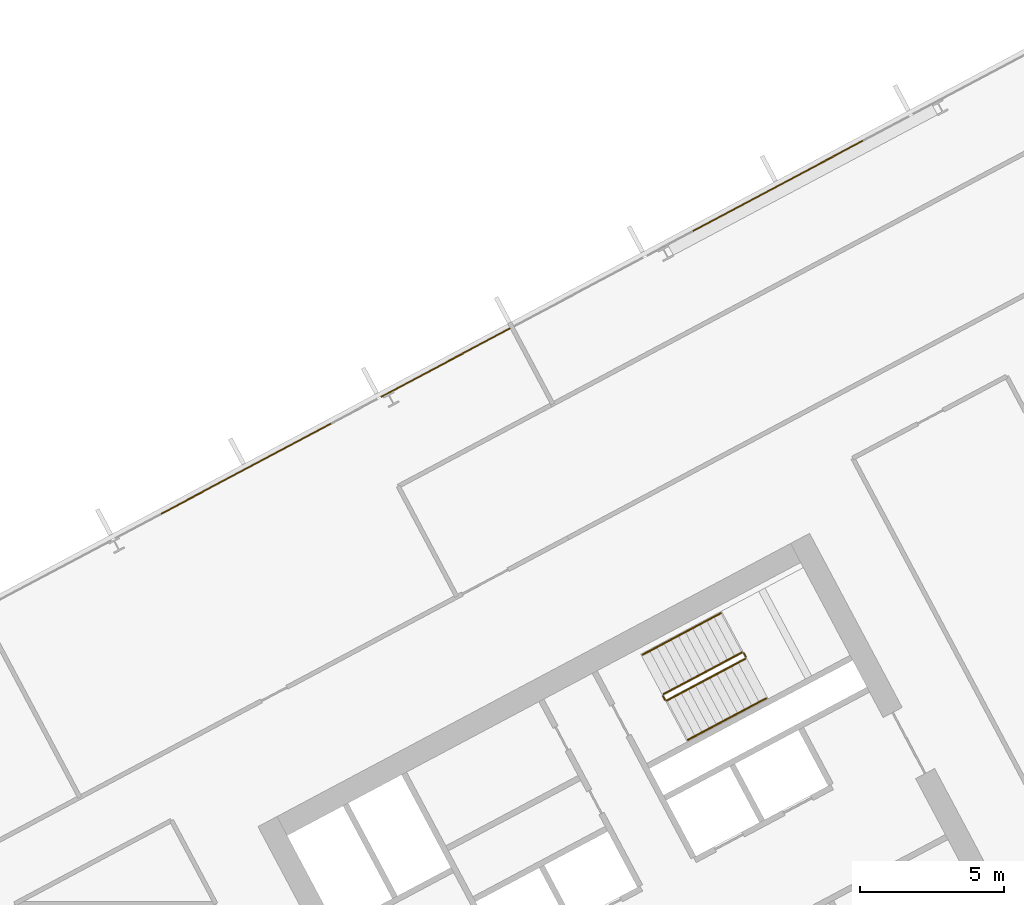
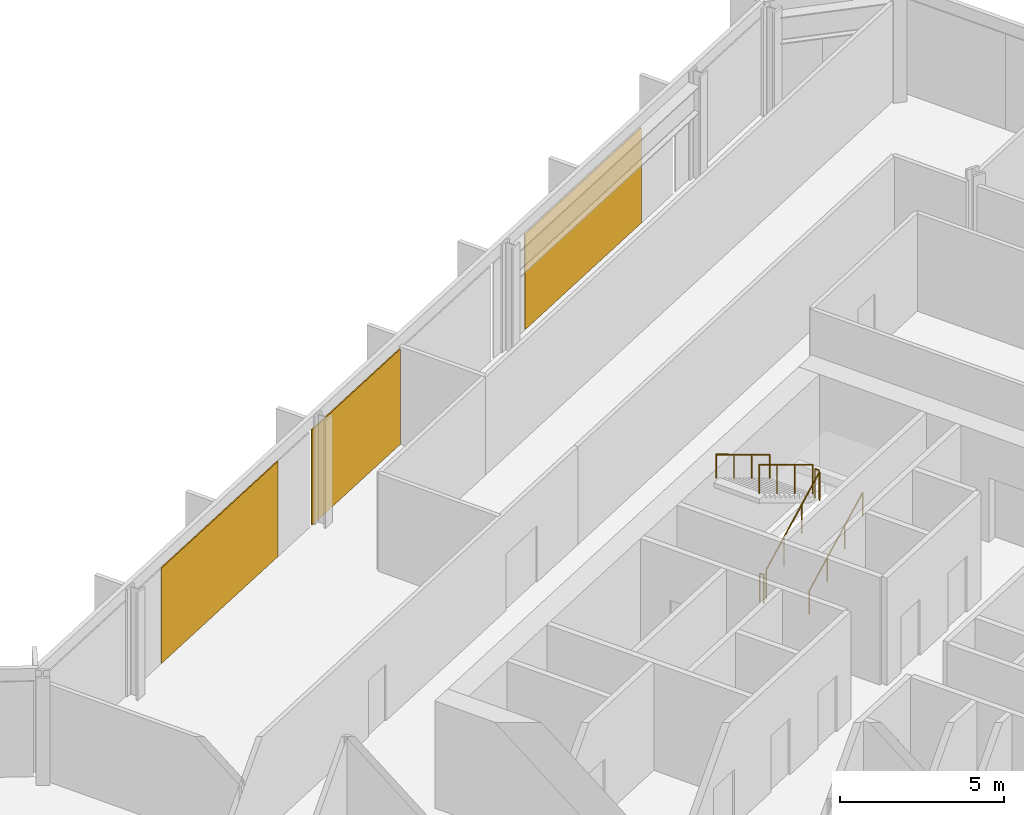
# One storey, part 27 of 28: 6 railings, 3 coverings, 1 element without a shape of its own.
"""IFC4 building model written with IfcOpenShell, lengths in metres."""

from ifc_helpers import new_model, si_unit, direction, frame, origin, origin_2d, place, context, subcontext, project, spatial, polyline, rectangle, outline, extrude, material, layer, layer_set, type_object, element, aggregate, save


model = new_model("IFC4")

# Units and contexts
model_context = context("Model", 3, precision=1e-05, world=origin(), true_north=direction((0.0, 1.0)))
body_context = subcontext(model_context, "Body", "Model", "MODEL_VIEW")
ifc_project = project(units=[si_unit("LENGTHUNIT", "METRE"), si_unit("AREAUNIT", "SQUARE_METRE"), si_unit("VOLUMEUNIT", "CUBIC_METRE"), si_unit("PLANEANGLEUNIT", "RADIAN"), si_unit("MASSUNIT", "GRAM", prefix="KILO")], contexts=[model_context])

# Site, building, storey
site_placement = place(None, origin())
site = spatial("IfcSite", under=ifc_project, at=site_placement, CompositionType="ELEMENT")
building_placement = place(site_placement, origin())
building = spatial("IfcBuilding", under=site, at=building_placement, Name="Cormorant Relay Tower", CompositionType="ELEMENT")
storey_placement = place(building_placement, frame((0.0, 0.0, 142.199951171875)))
storey = spatial("IfcBuildingStorey", under=building, at=storey_placement, Name="L29", CompositionType="ELEMENT", Elevation=142.199951171875)

# Curtain wall, coverings
ifc_material_1 = material(Name="Aluminium 6063-T6 anodised bronze", Category="aluminium")
ifc_layer_1 = layer(ifc_material_1, 0.199951171875)
ifc_layer_set_1 = layer_set([ifc_layer_1], Name="CW1 unitised bronze curtain wall with vertical fins")
curtain_wall_type = type_object("IfcCurtainWallType", Name="CW1 unitised bronze curtain wall with vertical fins", PredefinedType="NOTDEFINED", material=ifc_layer_set_1)
curtain_wall_placement = place(storey_placement, origin())
curtain_wall = element("IfcCurtainWall", 1, at=curtain_wall_placement, inside=storey, type_object=curtain_wall_type, Name="CW1 curtain wall 8", PredefinedType="NOTDEFINED")
ifc_material_2 = material(Name="Pale bronze anodised aluminium insulated panel", Category="aluminium")
ifc_layer_2 = layer(ifc_material_2, 0.0400390625)
ifc_layer_set_2 = layer_set([ifc_layer_2], Name="CW1 pale bronze insulated panel 40")
covering_type = type_object("IfcCoveringType", Name="CW1 pale bronze insulated panel 40", PredefinedType="CLADDING", material=ifc_layer_set_2)
covering_1_placement = place(storey_placement, frame((27.693603515625, 38.531494140625, 0.0), z_axis=(0.0, 0.0, 1.0), x_axis=(-0.882947592859, -0.469471562786, 0.0)))
covering_1 = element("IfcCovering", 2, at=covering_1_placement, type_object=covering_type, Name="CW1 panel S02", PredefinedType="CLADDING", context=body_context, shape_type="SweptSolid", body=[
    extrude(rectangle(XDim=6.70849609375, YDim=0.0400390625, at=origin_2d()), origin(), (0.0, 0.0, 1.0), 3.550048828125),
])
covering_2_placement = place(storey_placement, frame((16.150634765625, 32.39404296875, 0.0), z_axis=(0.0, 0.0, 1.0), x_axis=(-0.882947592859, -0.469471562786, 0.0)))
covering_2 = element("IfcCovering", 3, at=covering_2_placement, type_object=covering_type, Name="CW1 panel S05", PredefinedType="CLADDING", context=body_context, shape_type="SweptSolid", body=[
    extrude(rectangle(XDim=5.079345703125, YDim=0.0400390625, at=origin_2d()), origin(), (0.0, 0.0, 1.0), 3.550048828125),
])
covering_3_placement = place(storey_placement, frame((9.224853515625, 28.711669921875, 0.0), z_axis=(0.0, 0.0, 1.0), x_axis=(-0.882947592859, -0.469471562786, 0.0)))
covering_3 = element("IfcCovering", 4, at=covering_3_placement, type_object=covering_type, Name="CW1 panel S07", PredefinedType="CLADDING", context=body_context, shape_type="SweptSolid", body=[
    extrude(rectangle(XDim=6.70849609375, YDim=0.0400390625, at=origin_2d()), origin(), (0.0, 0.0, 1.0), 3.550048828125),
])
aggregate(curtain_wall, [covering_1, covering_2, covering_3])

# Railings
ifc_material_3 = material(Name="Steel ASTM A572 Grade 50 (Fy 345 MPa)", Category="steel")
railing_type_1 = type_object("IfcRailingType", Name="Stair guard 1100", PredefinedType="GUARDRAIL", material=ifc_material_3)
railing_1_placement = place(storey_placement, frame((23.8408203125, 20.6611328125, 0.166748046875)))
element("IfcRailing", 5, at=railing_1_placement, inside=storey, type_object=railing_type_1, Name="L29 B2 stair guard 1", PredefinedType="GUARDRAIL", context=body_context, shape_type="SweptSolid", body=[
    extrude(outline(polyline([(0.022216796875, 0.00927734375), (0.00927734375, 0.022216796875), (-0.00927734375, 0.022216796875), (-0.022216796875, 0.00927734375), (-0.022216796875, -0.00927734375), (-0.00927734375, -0.022216796875), (0.00927734375, -0.022216796875), (0.022216796875, -0.00927734375), (0.022216796875, 0.00927734375)])), frame((0.0, 0.0, 1.076171875), z_axis=(0.758734504837, 0.403377838015, 0.511476559549), x_axis=(-0.469427602063, 0.882970965786, 0.0)), (0.0, 0.0, 1.0), 3.584228515625),
    extrude(outline(polyline([(0.019287109375, 0.008056640625), (0.008056640625, 0.019287109375), (-0.008056640625, 0.019287109375), (-0.019287109375, 0.008056640625), (-0.019287109375, -0.008056640625), (-0.008056640625, -0.019287109375), (0.008056640625, -0.019287109375), (0.019287109375, -0.008056640625), (0.019287109375, 0.008056640625)])), origin(), (0.0, 0.0, 1.0), 1.052001953125),
    extrude(outline(polyline([(0.019287109375, 0.008056640625), (0.008056640625, 0.019287109375), (-0.008056640625, 0.019287109375), (-0.019287109375, 0.008056640625), (-0.019287109375, -0.008056640625), (-0.008056640625, -0.019287109375), (0.008056640625, -0.019287109375), (0.019287109375, -0.008056640625), (0.019287109375, 0.008056640625)])), frame((0.906494140625, 0.48193359375, 0.611083984375)), (0.0, 0.0, 1.0), 1.052001953125),
    extrude(outline(polyline([(0.019287109375, 0.008056640625), (0.008056640625, 0.019287109375), (-0.008056640625, 0.019287109375), (-0.019287109375, 0.008056640625), (-0.019287109375, -0.008056640625), (-0.008056640625, -0.019287109375), (0.008056640625, -0.019287109375), (0.019287109375, -0.008056640625), (0.019287109375, 0.008056640625)])), frame((1.81298828125, 0.9638671875, 1.22216796875)), (0.0, 0.0, 1.0), 1.052001953125),
    extrude(outline(polyline([(0.019287109375, 0.008056640625), (0.008056640625, 0.019287109375), (-0.008056640625, 0.019287109375), (-0.019287109375, 0.008056640625), (-0.019287109375, -0.008056640625), (-0.008056640625, -0.019287109375), (0.008056640625, -0.019287109375), (0.019287109375, -0.008056640625), (0.019287109375, 0.008056640625)])), frame((2.719482421875, 1.44580078125, 1.833251953125)), (0.0, 0.0, 1.0), 1.052001953125),
])
railing_2_placement = place(storey_placement, frame((26.5810546875, 22.174560546875, 2.0)))
element("IfcRailing", 6, at=railing_2_placement, inside=storey, type_object=railing_type_1, Name="L29 B2 stair guard 2", PredefinedType="GUARDRAIL", context=body_context, shape_type="SweptSolid", body=[
    extrude(outline(polyline([(0.022216796875, 0.00927734375), (0.00927734375, 0.022216796875), (-0.00927734375, 0.022216796875), (-0.022216796875, 0.00927734375), (-0.022216796875, -0.00927734375), (-0.00927734375, -0.022216796875), (0.00927734375, -0.022216796875), (0.022216796875, -0.00927734375), (0.022216796875, 0.00927734375)])), frame((0.0, 0.0, 1.076171875), z_axis=(-0.469828648786, 0.882757634224, 0.0), x_axis=(-0.882757634224, -0.469828648786, 0.0)), (0.0, 0.0, 1.0), 0.150146484375),
    extrude(outline(polyline([(0.019287109375, 0.008056640625), (0.008056640625, 0.019287109375), (-0.008056640625, 0.019287109375), (-0.019287109375, 0.008056640625), (-0.019287109375, -0.008056640625), (-0.008056640625, -0.019287109375), (0.008056640625, -0.019287109375), (0.019287109375, -0.008056640625), (0.019287109375, 0.008056640625)])), origin(), (0.0, 0.0, 1.0), 1.052001953125),
    extrude(outline(polyline([(0.019287109375, 0.008056640625), (0.008056640625, 0.019287109375), (-0.008056640625, 0.019287109375), (-0.019287109375, 0.008056640625), (-0.019287109375, -0.008056640625), (-0.008056640625, -0.019287109375), (0.008056640625, -0.019287109375), (0.019287109375, -0.008056640625), (0.019287109375, 0.008056640625)])), frame((-0.070556640625, 0.132568359375, 0.0)), (0.0, 0.0, 1.0), 1.052001953125),
])
railing_3_placement = place(storey_placement, frame((26.44287109375, 22.32763671875, 2.166748046875)))
element("IfcRailing", 7, at=railing_3_placement, inside=storey, type_object=railing_type_1, Name="L29 B2 stair guard 3", PredefinedType="GUARDRAIL", context=body_context, shape_type="SweptSolid", body=[
    extrude(outline(polyline([(0.022216796875, 0.00927734375), (0.00927734375, 0.022216796875), (-0.00927734375, 0.022216796875), (-0.022216796875, 0.00927734375), (-0.022216796875, -0.00927734375), (-0.00927734375, -0.022216796875), (0.00927734375, -0.022216796875), (0.022216796875, -0.00927734375), (0.022216796875, 0.00927734375)])), frame((0.0, 0.0, 1.076171875), z_axis=(-0.758734504837, -0.403377838015, 0.511476559549), x_axis=(0.469427602063, -0.882970965786, 0.0)), (0.0, 0.0, 1.0), 3.584228515625),
    extrude(outline(polyline([(0.019287109375, 0.008056640625), (0.008056640625, 0.019287109375), (-0.008056640625, 0.019287109375), (-0.019287109375, 0.008056640625), (-0.019287109375, -0.008056640625), (-0.008056640625, -0.019287109375), (0.008056640625, -0.019287109375), (0.019287109375, -0.008056640625), (0.019287109375, 0.008056640625)])), origin(), (0.0, 0.0, 1.0), 1.052001953125),
    extrude(outline(polyline([(0.019287109375, 0.008056640625), (0.008056640625, 0.019287109375), (-0.008056640625, 0.019287109375), (-0.019287109375, 0.008056640625), (-0.019287109375, -0.008056640625), (-0.008056640625, -0.019287109375), (0.008056640625, -0.019287109375), (0.019287109375, -0.008056640625), (0.019287109375, 0.008056640625)])), frame((-0.906494140625, -0.48193359375, 0.611083984375)), (0.0, 0.0, 1.0), 1.052001953125),
    extrude(outline(polyline([(0.019287109375, 0.008056640625), (0.008056640625, 0.019287109375), (-0.008056640625, 0.019287109375), (-0.019287109375, 0.008056640625), (-0.019287109375, -0.008056640625), (-0.008056640625, -0.019287109375), (0.008056640625, -0.019287109375), (0.019287109375, -0.008056640625), (0.019287109375, 0.008056640625)])), frame((-1.81298828125, -0.9638671875, 1.22216796875)), (0.0, 0.0, 1.0), 1.052001953125),
    extrude(outline(polyline([(0.019287109375, 0.008056640625), (0.008056640625, 0.019287109375), (-0.008056640625, 0.019287109375), (-0.019287109375, 0.008056640625), (-0.019287109375, -0.008056640625), (-0.008056640625, -0.019287109375), (0.008056640625, -0.019287109375), (0.019287109375, -0.008056640625), (0.019287109375, 0.008056640625)])), frame((-2.719482421875, -1.44580078125, 1.833251953125)), (0.0, 0.0, 1.0), 1.052001953125),
])
railing_4_placement = place(storey_placement, frame((23.773193359375, 20.681640625, 0.0)))
element("IfcRailing", 8, at=railing_4_placement, inside=storey, type_object=railing_type_1, Name="L29 B2 stair guard 4", PredefinedType="GUARDRAIL", context=body_context, shape_type="SweptSolid", body=[
    extrude(outline(polyline([(0.022216796875, 0.00927734375), (0.00927734375, 0.022216796875), (-0.00927734375, 0.022216796875), (-0.022216796875, 0.00927734375), (-0.022216796875, -0.00927734375), (-0.00927734375, -0.022216796875), (0.00927734375, -0.022216796875), (0.022216796875, -0.00927734375), (0.022216796875, 0.00927734375)])), frame((0.0, 0.0, 1.076171875), z_axis=(-0.46856034887, 0.8834314911, 0.0), x_axis=(-0.8834314911, -0.46856034887, 0.0)), (0.0, 0.0, 1.0), 0.150146484375),
    extrude(outline(polyline([(0.019287109375, 0.008056640625), (0.008056640625, 0.019287109375), (-0.008056640625, 0.019287109375), (-0.019287109375, 0.008056640625), (-0.019287109375, -0.008056640625), (-0.008056640625, -0.019287109375), (0.008056640625, -0.019287109375), (0.019287109375, -0.008056640625), (0.019287109375, 0.008056640625)])), origin(), (0.0, 0.0, 1.0), 1.052001953125),
    extrude(outline(polyline([(0.019287109375, 0.008056640625), (0.008056640625, 0.019287109375), (-0.008056640625, 0.019287109375), (-0.019287109375, 0.008056640625), (-0.019287109375, -0.008056640625), (-0.008056640625, -0.019287109375), (0.008056640625, -0.019287109375), (0.019287109375, -0.008056640625), (0.019287109375, 0.008056640625)])), frame((-0.0703125, 0.132568359375, 0.0)), (0.0, 0.0, 1.0), 1.052001953125),
])
ifc_material_4 = material(Name="Steel ASTM A572 Grade 50 (Fy 345 MPa)", Category="steel")
railing_type_2 = type_object("IfcRailingType", Name="Stair handrail 900", PredefinedType="HANDRAIL", material=ifc_material_4)
railing_5_placement = place(storey_placement, frame((24.568603515625, 19.29248046875, 0.166748046875)))
element("IfcRailing", 9, at=railing_5_placement, inside=storey, type_object=railing_type_2, Name="L29 B2 stair handrail 1", PredefinedType="HANDRAIL", context=body_context, shape_type="SweptSolid", body=[
    extrude(outline(polyline([(0.022216796875, 0.00927734375), (0.00927734375, 0.022216796875), (-0.00927734375, 0.022216796875), (-0.022216796875, 0.00927734375), (-0.022216796875, -0.00927734375), (-0.00927734375, -0.022216796875), (0.00927734375, -0.022216796875), (0.022216796875, -0.00927734375), (0.022216796875, 0.00927734375)])), frame((0.0, 0.0, 0.8759765625), z_axis=(0.758713656843, 0.403434867536, 0.511462505542), x_axis=(-0.469489399267, 0.882938108802, 0.0)), (0.0, 0.0, 1.0), 3.584228515625),
    extrude(outline(polyline([(0.019287109375, 0.008056640625), (0.008056640625, 0.019287109375), (-0.008056640625, 0.019287109375), (-0.019287109375, 0.008056640625), (-0.019287109375, -0.008056640625), (-0.008056640625, -0.019287109375), (0.008056640625, -0.019287109375), (0.019287109375, -0.008056640625), (0.019287109375, 0.008056640625)])), origin(), (0.0, 0.0, 1.0), 0.851806640625),
    extrude(outline(polyline([(0.019287109375, 0.008056640625), (0.008056640625, 0.019287109375), (-0.008056640625, 0.019287109375), (-0.019287109375, 0.008056640625), (-0.019287109375, -0.008056640625), (-0.008056640625, -0.019287109375), (0.008056640625, -0.019287109375), (0.019287109375, -0.008056640625), (0.019287109375, 0.008056640625)])), frame((0.906494140625, 0.48193359375, 0.611083984375)), (0.0, 0.0, 1.0), 0.851806640625),
    extrude(outline(polyline([(0.019287109375, 0.008056640625), (0.008056640625, 0.019287109375), (-0.008056640625, 0.019287109375), (-0.019287109375, 0.008056640625), (-0.019287109375, -0.008056640625), (-0.008056640625, -0.019287109375), (0.008056640625, -0.019287109375), (0.019287109375, -0.008056640625), (0.019287109375, 0.008056640625)])), frame((1.81298828125, 0.964111328125, 1.22216796875)), (0.0, 0.0, 1.0), 0.851806640625),
    extrude(outline(polyline([(0.019287109375, 0.008056640625), (0.008056640625, 0.019287109375), (-0.008056640625, 0.019287109375), (-0.019287109375, 0.008056640625), (-0.019287109375, -0.008056640625), (-0.008056640625, -0.019287109375), (0.008056640625, -0.019287109375), (0.019287109375, -0.008056640625), (0.019287109375, 0.008056640625)])), frame((2.719482421875, 1.446044921875, 1.833251953125)), (0.0, 0.0, 1.0), 0.851806640625),
])
railing_6_placement = place(storey_placement, frame((25.71533203125, 23.6962890625, 2.166748046875)))
element("IfcRailing", 10, at=railing_6_placement, inside=storey, type_object=railing_type_2, Name="L29 B2 stair handrail 2", PredefinedType="HANDRAIL", context=body_context, shape_type="SweptSolid", body=[
    extrude(outline(polyline([(0.022216796875, 0.00927734375), (0.00927734375, 0.022216796875), (-0.00927734375, 0.022216796875), (-0.022216796875, 0.00927734375), (-0.022216796875, -0.00927734375), (-0.00927734375, -0.022216796875), (0.00927734375, -0.022216796875), (0.022216796875, -0.00927734375), (0.022216796875, 0.00927734375)])), frame((0.0, 0.0, 0.8759765625), z_axis=(-0.758713656843, -0.403434867536, 0.511462505542), x_axis=(0.469489399267, -0.882938108802, 0.0)), (0.0, 0.0, 1.0), 3.584228515625),
    extrude(outline(polyline([(0.019287109375, 0.008056640625), (0.008056640625, 0.019287109375), (-0.008056640625, 0.019287109375), (-0.019287109375, 0.008056640625), (-0.019287109375, -0.008056640625), (-0.008056640625, -0.019287109375), (0.008056640625, -0.019287109375), (0.019287109375, -0.008056640625), (0.019287109375, 0.008056640625)])), origin(), (0.0, 0.0, 1.0), 0.851806640625),
    extrude(outline(polyline([(0.019287109375, 0.008056640625), (0.008056640625, 0.019287109375), (-0.008056640625, 0.019287109375), (-0.019287109375, 0.008056640625), (-0.019287109375, -0.008056640625), (-0.008056640625, -0.019287109375), (0.008056640625, -0.019287109375), (0.019287109375, -0.008056640625), (0.019287109375, 0.008056640625)])), frame((-0.906494140625, -0.48193359375, 0.611083984375)), (0.0, 0.0, 1.0), 0.851806640625),
    extrude(outline(polyline([(0.019287109375, 0.008056640625), (0.008056640625, 0.019287109375), (-0.008056640625, 0.019287109375), (-0.019287109375, 0.008056640625), (-0.019287109375, -0.008056640625), (-0.008056640625, -0.019287109375), (0.008056640625, -0.019287109375), (0.019287109375, -0.008056640625), (0.019287109375, 0.008056640625)])), frame((-1.81298828125, -0.964111328125, 1.22216796875)), (0.0, 0.0, 1.0), 0.851806640625),
    extrude(outline(polyline([(0.019287109375, 0.008056640625), (0.008056640625, 0.019287109375), (-0.008056640625, 0.019287109375), (-0.019287109375, 0.008056640625), (-0.019287109375, -0.008056640625), (-0.008056640625, -0.019287109375), (0.008056640625, -0.019287109375), (0.019287109375, -0.008056640625), (0.019287109375, 0.008056640625)])), frame((-2.719482421875, -1.446044921875, 1.833251953125)), (0.0, 0.0, 1.0), 0.851806640625),
])

save(model, "model.ifc")
